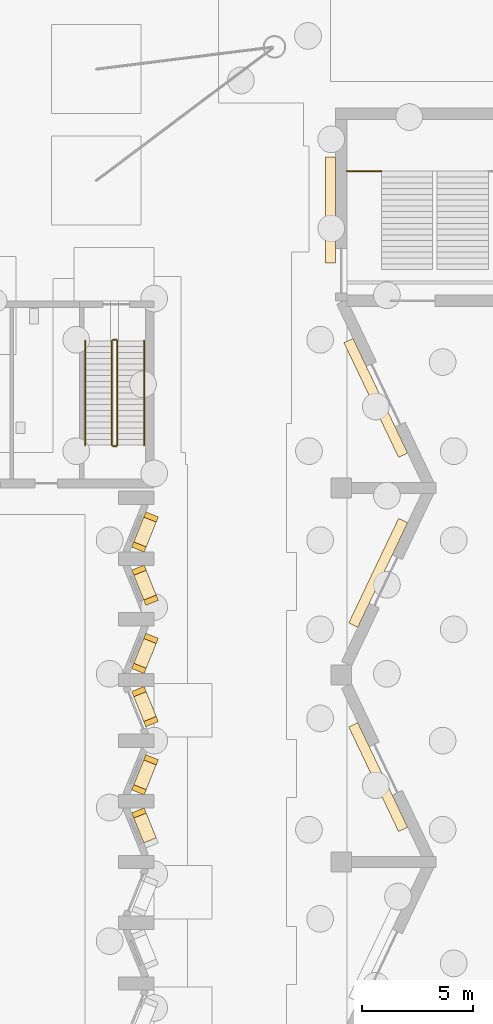
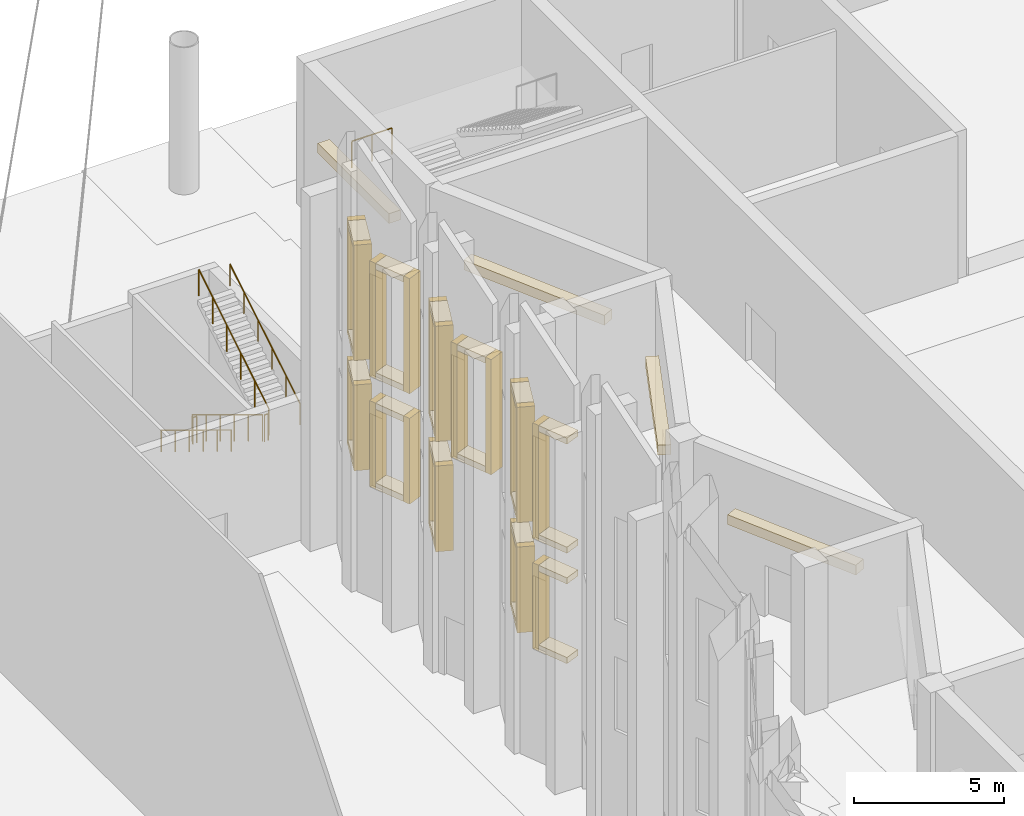
# One storey, part 97 of 108: 46 coverings, 7 railings.
"""IFC4 building model written with IfcOpenShell, lengths in metres."""

from ifc_helpers import new_model, si_unit, direction, frame, origin, origin_2d, place, context, subcontext, project, spatial, rectangle, circle, extrude, material, type_object, element, save


model = new_model("IFC4")

# Units and contexts
model_context = context("Model", 3, precision=1e-05, world=origin(), true_north=direction((0.0, 1.0)))
body_context = subcontext(model_context, "Body", "Model", "MODEL_VIEW")
ifc_project = project(units=[si_unit("LENGTHUNIT", "METRE"), si_unit("AREAUNIT", "SQUARE_METRE"), si_unit("VOLUMEUNIT", "CUBIC_METRE"), si_unit("PLANEANGLEUNIT", "RADIAN"), si_unit("MASSUNIT", "GRAM", prefix="KILO")], contexts=[model_context])

# Site, building, storey
site_placement = place(None, origin())
site = spatial("IfcSite", under=ifc_project, at=site_placement, CompositionType="ELEMENT")
building_placement = place(site_placement, origin())
building = spatial("IfcBuilding", under=site, at=building_placement, Name="Cresset Court Congress Hotel", CompositionType="ELEMENT")
storey_placement = place(building_placement, origin())
storey = spatial("IfcBuildingStorey", under=building, at=storey_placement, Name="L00", CompositionType="ELEMENT", Elevation=0.0)

# Railings
ifc_material_1 = material(Name="Steel and laminated glass", Category="steel")
railing_type_1 = type_object("IfcRailingType", Name="Guard 1100 steel and glass", PredefinedType="GUARDRAIL", material=ifc_material_1)
railing_1_placement = place(storey_placement, frame((59.050048828125, 115.02001953125, 3.0)))
element("IfcRailing", 1, at=railing_1_placement, inside=storey, type_object=railing_type_1, Name="Guard CC-C3L00a", PredefinedType="GUARDRAIL", context=body_context, shape_type="SweptSolid", body=[
    extrude(circle(Radius=0.02490234375, at=origin_2d()), frame((0.0, 0.0, 1.0751953125), z_axis=(1.0, 0.0, 0.0), x_axis=(0.0, 1.0, 0.0)), (0.0, 0.0, 1.0), 1.550048828125),
    extrude(circle(Radius=0.02001953125, at=origin_2d()), origin(), (0.0, 0.0, 1.0), 1.050048828125),
    extrude(circle(Radius=0.02001953125, at=origin_2d()), frame((0.77490234375, 0.0, 0.0)), (0.0, 0.0, 1.0), 1.050048828125),
    extrude(circle(Radius=0.02001953125, at=origin_2d()), frame((1.550048828125, 0.0, 0.0)), (0.0, 0.0, 1.0), 1.050048828125),
])
ifc_material_2 = material(Name="Stainless steel", Category="steel")
railing_type_2 = type_object("IfcRailingType", Name="Handrail 900", PredefinedType="HANDRAIL", material=ifc_material_2)
railing_2_placement = place(storey_placement, frame((47.300048828125, 107.39990234375, 0.157958984375)))
element("IfcRailing", 2, at=railing_2_placement, inside=storey, type_object=railing_type_2, Name="L00 ST-D4 stair handrail 1", PredefinedType="HANDRAIL", context=body_context, shape_type="SweptSolid", body=[
    extrude(circle(Radius=0.02392578125, at=origin_2d()), frame((0.0, 0.0, 0.8759765625), z_axis=(0.0, -0.854734527071, 0.519065398802), x_axis=(1.0, 0.0, 0.0)), (0.0, 0.0, 1.0), 5.475341796875),
    extrude(circle(Radius=0.02099609375, at=origin_2d()), origin(), (0.0, 0.0, 1.0), 0.851806640625),
    extrude(circle(Radius=0.02099609375, at=origin_2d()), frame((0.0, -0.93603515625, 0.568359375)), (0.0, 0.0, 1.0), 0.851806640625),
    extrude(circle(Radius=0.02099609375, at=origin_2d()), frame((0.0, -1.8720703125, 1.13671875)), (0.0, 0.0, 1.0), 0.851806640625),
    extrude(circle(Radius=0.02099609375, at=origin_2d()), frame((0.0, -2.807861328125, 1.705322265625)), (0.0, 0.0, 1.0), 0.851806640625),
    extrude(circle(Radius=0.02099609375, at=origin_2d()), frame((0.0, -3.743896484375, 2.273681640625)), (0.0, 0.0, 1.0), 0.851806640625),
    extrude(circle(Radius=0.02099609375, at=origin_2d()), frame((0.0, -4.679931640625, 2.842041015625)), (0.0, 0.0, 1.0), 0.851806640625),
])
railing_3_placement = place(storey_placement, frame((49.949951171875, 102.719970703125, 3.157958984375)))
element("IfcRailing", 3, at=railing_3_placement, inside=storey, type_object=railing_type_2, Name="L00 ST-D4 stair handrail 2", PredefinedType="HANDRAIL", context=body_context, shape_type="SweptSolid", body=[
    extrude(circle(Radius=0.02392578125, at=origin_2d()), frame((0.0, 0.0, 0.8759765625), z_axis=(0.0, 0.854734527071, 0.519065398802), x_axis=(-1.0, 0.0, 0.0)), (0.0, 0.0, 1.0), 5.475341796875),
    extrude(circle(Radius=0.02099609375, at=origin_2d()), origin(), (0.0, 0.0, 1.0), 0.851806640625),
    extrude(circle(Radius=0.02099609375, at=origin_2d()), frame((0.0, 0.93603515625, 0.568359375)), (0.0, 0.0, 1.0), 0.851806640625),
    extrude(circle(Radius=0.02099609375, at=origin_2d()), frame((0.0, 1.8720703125, 1.13671875)), (0.0, 0.0, 1.0), 0.851806640625),
    extrude(circle(Radius=0.02099609375, at=origin_2d()), frame((0.0, 2.807861328125, 1.705322265625)), (0.0, 0.0, 1.0), 0.851806640625),
    extrude(circle(Radius=0.02099609375, at=origin_2d()), frame((0.0, 3.743896484375, 2.273681640625)), (0.0, 0.0, 1.0), 0.851806640625),
    extrude(circle(Radius=0.02099609375, at=origin_2d()), frame((0.0, 4.679931640625, 2.842041015625)), (0.0, 0.0, 1.0), 0.851806640625),
])

# Coverings
ifc_material_3 = material(Name="Precast concrete C50", Category="concrete")
covering_type_1 = type_object("IfcCoveringType", Name="Precast reveal band 450x400", PredefinedType="CLADDING", material=ifc_material_3)
covering_1_placement = place(storey_placement, frame((58.324951171875, 113.27490234375, 3.550048828125), z_axis=(0.0, 0.0, 1.0), x_axis=(0.0, 1.0, 0.0)))
element("IfcCovering", 4, at=covering_1_placement, inside=storey, type_object=covering_type_1, Name="Reveal band W.L00.00a0.1", PredefinedType="CLADDING", context=body_context, shape_type="SweptSolid", body=[
    extrude(rectangle(XDim=4.75, YDim=0.449951171875, at=origin_2d()), origin(), (0.0, 0.0, 1.0), 0.39990234375),
])
covering_2_placement = place(storey_placement, frame((60.350341796875, 104.839599609375, 3.550048828125), z_axis=(0.0, 0.0, 1.0), x_axis=(-0.429932870312, 0.902860856957, 0.0)))
element("IfcCovering", 5, at=covering_2_placement, inside=storey, type_object=covering_type_1, Name="Reveal band W.L00.00a1.1", PredefinedType="CLADDING", context=body_context, shape_type="SweptSolid", body=[
    extrude(rectangle(XDim=5.696044921875, YDim=0.449951171875, at=origin_2d()), origin(), (0.0, 0.0, 1.0), 0.39990234375),
])
for number, where, z_axis, x_axis, name in (
    (6, (60.45751953125, 96.985595703125, 3.550048828125), (0.0, 0.0, 1.0), (0.429932870312, 0.902860856957, 0.0), "Reveal band W.L00.01a.1"),
    (7, (60.45751953125, 87.814453125, 3.550048828125), (0.0, 0.0, 1.0), (-0.429932870312, 0.902860856957, 0.0), "Reveal band W.L00.02a.1"),
):
    element("IfcCovering", number, at=place(storey_placement, frame(where, z_axis=z_axis, x_axis=x_axis)), inside=storey, type_object=covering_type_1, Name=name, PredefinedType="CLADDING", context=body_context, shape_type="SweptSolid", body=[
        extrude(rectangle(XDim=5.19775390625, YDim=0.449951171875, at=origin_2d()), origin(), (0.0, 0.0, 1.0), 0.39990234375),
    ])
ifc_material_4 = material(Name="Precast concrete C50", Category="concrete")
covering_type_2 = type_object("IfcCoveringType", Name="Precast reveal frame member 250x600", PredefinedType="CLADDING", material=ifc_material_4)
covering_3_placement = place(storey_placement, frame((49.71630859375, 86.203369140625, 4.25), z_axis=(0.0, 0.0, 1.0), x_axis=(-0.37462277577, 0.927177316307, 0.0)))
element("IfcCovering", 8, at=covering_3_placement, inside=storey, type_object=covering_type_2, Name="Reveal frame win.L00.33b", PredefinedType="CLADDING", context=body_context, shape_type="SweptSolid", body=[
    extrude(rectangle(XDim=0.25, YDim=0.60009765625, at=origin_2d()), origin(), (0.0, 0.0, 1.0), 3.5),
])
for number, where, z_axis, x_axis, name in (
    (9, (49.98779296875, 85.531005859375, 7.5), (0.0, 0.0, 1.0), (-0.37462277577, 0.927177316307, 0.0), "Reveal frame win.L00.33c"),
    (10, (49.98779296875, 85.531005859375, 4.25), (0.0, 0.0, 1.0), (-0.37462277577, 0.927177316307, 0.0), "Reveal frame win.L00.33d"),
):
    element("IfcCovering", number, at=place(storey_placement, frame(where, z_axis=z_axis, x_axis=x_axis)), inside=storey, type_object=covering_type_2, Name=name, PredefinedType="CLADDING", context=body_context, shape_type="SweptSolid", body=[
        extrude(rectangle(XDim=1.199951171875, YDim=0.60009765625, at=origin_2d()), origin(), (0.0, 0.0, 1.0), 0.25),
    ])
covering_4_placement = place(storey_placement, frame((49.71630859375, 86.203369140625, 8.75), z_axis=(0.0, 0.0, 1.0), x_axis=(-0.37462277577, 0.927177316307, 0.0)))
element("IfcCovering", 11, at=covering_4_placement, inside=storey, type_object=covering_type_2, Name="Reveal frame win.L00.34b", PredefinedType="CLADDING", context=body_context, shape_type="SweptSolid", body=[
    extrude(rectangle(XDim=0.25, YDim=0.60009765625, at=origin_2d()), origin(), (0.0, 0.0, 1.0), 4.699951171875),
])
for number, where, z_axis, x_axis, name in (
    (12, (49.98779296875, 85.531005859375, 13.199951171875), (0.0, 0.0, 1.0), (-0.37462277577, 0.927177316307, 0.0), "Reveal frame win.L00.34c"),
    (13, (49.98779296875, 85.531005859375, 8.75), (0.0, 0.0, 1.0), (-0.37462277577, 0.927177316307, 0.0), "Reveal frame win.L00.34d"),
):
    element("IfcCovering", number, at=place(storey_placement, frame(where, z_axis=z_axis, x_axis=x_axis)), inside=storey, type_object=covering_type_2, Name=name, PredefinedType="CLADDING", context=body_context, shape_type="SweptSolid", body=[
        extrude(rectangle(XDim=1.199951171875, YDim=0.60009765625, at=origin_2d()), origin(), (0.0, 0.0, 1.0), 0.25),
    ])
for number, where, z_axis, x_axis, name in (
    (14, (49.71630859375, 87.246826171875, 4.25), (0.0, 0.0, 1.0), (0.37462277577, 0.927177316307, 0.0), "Reveal frame win.L00.35a"),
    (15, (50.259521484375, 88.59130859375, 4.25), (0.0, 0.0, 1.0), (0.37462277577, 0.927177316307, 0.0), "Reveal frame win.L00.35b"),
):
    element("IfcCovering", number, at=place(storey_placement, frame(where, z_axis=z_axis, x_axis=x_axis)), inside=storey, type_object=covering_type_2, Name=name, PredefinedType="CLADDING", context=body_context, shape_type="SweptSolid", body=[
        extrude(rectangle(XDim=0.25, YDim=0.60009765625, at=origin_2d()), origin(), (0.0, 0.0, 1.0), 3.5),
    ])
for number, where, z_axis, x_axis, name in (
    (16, (49.98779296875, 87.9189453125, 7.5), (0.0, 0.0, 1.0), (0.37462277577, 0.927177316307, 0.0), "Reveal frame win.L00.35c"),
    (17, (49.98779296875, 87.9189453125, 4.25), (0.0, 0.0, 1.0), (0.37462277577, 0.927177316307, 0.0), "Reveal frame win.L00.35d"),
):
    element("IfcCovering", number, at=place(storey_placement, frame(where, z_axis=z_axis, x_axis=x_axis)), inside=storey, type_object=covering_type_2, Name=name, PredefinedType="CLADDING", context=body_context, shape_type="SweptSolid", body=[
        extrude(rectangle(XDim=1.199951171875, YDim=0.60009765625, at=origin_2d()), origin(), (0.0, 0.0, 1.0), 0.25),
    ])
for number, where, z_axis, x_axis, name in (
    (18, (49.71630859375, 87.246826171875, 8.75), (0.0, 0.0, 1.0), (0.37462277577, 0.927177316307, 0.0), "Reveal frame win.L00.36a"),
    (19, (50.259521484375, 88.59130859375, 8.75), (0.0, 0.0, 1.0), (0.37462277577, 0.927177316307, 0.0), "Reveal frame win.L00.36b"),
):
    element("IfcCovering", number, at=place(storey_placement, frame(where, z_axis=z_axis, x_axis=x_axis)), inside=storey, type_object=covering_type_2, Name=name, PredefinedType="CLADDING", context=body_context, shape_type="SweptSolid", body=[
        extrude(rectangle(XDim=0.25, YDim=0.60009765625, at=origin_2d()), origin(), (0.0, 0.0, 1.0), 4.699951171875),
    ])
for number, where, z_axis, x_axis, name in (
    (20, (49.98779296875, 87.9189453125, 13.199951171875), (0.0, 0.0, 1.0), (0.37462277577, 0.927177316307, 0.0), "Reveal frame win.L00.36c"),
    (21, (49.98779296875, 87.9189453125, 8.75), (0.0, 0.0, 1.0), (0.37462277577, 0.927177316307, 0.0), "Reveal frame win.L00.36d"),
):
    element("IfcCovering", number, at=place(storey_placement, frame(where, z_axis=z_axis, x_axis=x_axis)), inside=storey, type_object=covering_type_2, Name=name, PredefinedType="CLADDING", context=body_context, shape_type="SweptSolid", body=[
        extrude(rectangle(XDim=1.199951171875, YDim=0.60009765625, at=origin_2d()), origin(), (0.0, 0.0, 1.0), 0.25),
    ])
for number, where, z_axis, x_axis, name in (
    (22, (50.259521484375, 90.308837890625, 8.75), (0.0, 0.0, 1.0), (-0.37462277577, 0.927177316307, 0.0), "Reveal frame win.L00.37a"),
    (23, (49.71630859375, 91.6533203125, 8.75), (0.0, 0.0, 1.0), (-0.37462277577, 0.927177316307, 0.0), "Reveal frame win.L00.37b"),
):
    element("IfcCovering", number, at=place(storey_placement, frame(where, z_axis=z_axis, x_axis=x_axis)), inside=storey, type_object=covering_type_2, Name=name, PredefinedType="CLADDING", context=body_context, shape_type="SweptSolid", body=[
        extrude(rectangle(XDim=0.25, YDim=0.60009765625, at=origin_2d()), origin(), (0.0, 0.0, 1.0), 4.699951171875),
    ])
for number, where, z_axis, x_axis, name in (
    (24, (49.98779296875, 90.981201171875, 13.199951171875), (0.0, 0.0, 1.0), (-0.37462277577, 0.927177316307, 0.0), "Reveal frame win.L00.37c"),
    (25, (49.98779296875, 90.981201171875, 8.75), (0.0, 0.0, 1.0), (-0.37462277577, 0.927177316307, 0.0), "Reveal frame win.L00.37d"),
):
    element("IfcCovering", number, at=place(storey_placement, frame(where, z_axis=z_axis, x_axis=x_axis)), inside=storey, type_object=covering_type_2, Name=name, PredefinedType="CLADDING", context=body_context, shape_type="SweptSolid", body=[
        extrude(rectangle(XDim=1.199951171875, YDim=0.60009765625, at=origin_2d()), origin(), (0.0, 0.0, 1.0), 0.25),
    ])
for number, where, z_axis, x_axis, name in (
    (26, (49.71630859375, 92.69677734375, 4.25), (0.0, 0.0, 1.0), (0.37462277577, 0.927177316307, 0.0), "Reveal frame win.L00.38a"),
    (27, (50.259521484375, 94.041259765625, 4.25), (0.0, 0.0, 1.0), (0.37462277577, 0.927177316307, 0.0), "Reveal frame win.L00.38b"),
):
    element("IfcCovering", number, at=place(storey_placement, frame(where, z_axis=z_axis, x_axis=x_axis)), inside=storey, type_object=covering_type_2, Name=name, PredefinedType="CLADDING", context=body_context, shape_type="SweptSolid", body=[
        extrude(rectangle(XDim=0.25, YDim=0.60009765625, at=origin_2d()), origin(), (0.0, 0.0, 1.0), 3.5),
    ])
for number, where, z_axis, x_axis, name in (
    (28, (49.98779296875, 93.368896484375, 7.5), (0.0, 0.0, 1.0), (0.37462277577, 0.927177316307, 0.0), "Reveal frame win.L00.38c"),
    (29, (49.98779296875, 93.368896484375, 4.25), (0.0, 0.0, 1.0), (0.37462277577, 0.927177316307, 0.0), "Reveal frame win.L00.38d"),
):
    element("IfcCovering", number, at=place(storey_placement, frame(where, z_axis=z_axis, x_axis=x_axis)), inside=storey, type_object=covering_type_2, Name=name, PredefinedType="CLADDING", context=body_context, shape_type="SweptSolid", body=[
        extrude(rectangle(XDim=1.199951171875, YDim=0.60009765625, at=origin_2d()), origin(), (0.0, 0.0, 1.0), 0.25),
    ])
for number, where, z_axis, x_axis, name in (
    (30, (49.71630859375, 92.69677734375, 8.75), (0.0, 0.0, 1.0), (0.37462277577, 0.927177316307, 0.0), "Reveal frame win.L00.39a"),
    (31, (50.259521484375, 94.041259765625, 8.75), (0.0, 0.0, 1.0), (0.37462277577, 0.927177316307, 0.0), "Reveal frame win.L00.39b"),
):
    element("IfcCovering", number, at=place(storey_placement, frame(where, z_axis=z_axis, x_axis=x_axis)), inside=storey, type_object=covering_type_2, Name=name, PredefinedType="CLADDING", context=body_context, shape_type="SweptSolid", body=[
        extrude(rectangle(XDim=0.25, YDim=0.60009765625, at=origin_2d()), origin(), (0.0, 0.0, 1.0), 4.699951171875),
    ])
for number, where, z_axis, x_axis, name in (
    (32, (49.98779296875, 93.368896484375, 13.199951171875), (0.0, 0.0, 1.0), (0.37462277577, 0.927177316307, 0.0), "Reveal frame win.L00.39c"),
    (33, (49.98779296875, 93.368896484375, 8.75), (0.0, 0.0, 1.0), (0.37462277577, 0.927177316307, 0.0), "Reveal frame win.L00.39d"),
):
    element("IfcCovering", number, at=place(storey_placement, frame(where, z_axis=z_axis, x_axis=x_axis)), inside=storey, type_object=covering_type_2, Name=name, PredefinedType="CLADDING", context=body_context, shape_type="SweptSolid", body=[
        extrude(rectangle(XDim=1.199951171875, YDim=0.60009765625, at=origin_2d()), origin(), (0.0, 0.0, 1.0), 0.25),
    ])
for number, where, z_axis, x_axis, name in (
    (34, (50.259521484375, 95.7587890625, 4.25), (0.0, 0.0, 1.0), (-0.37462277577, 0.927177316307, 0.0), "Reveal frame win.L00.40a"),
    (35, (49.71630859375, 97.103271484375, 4.25), (0.0, 0.0, 1.0), (-0.37462277577, 0.927177316307, 0.0), "Reveal frame win.L00.40b"),
):
    element("IfcCovering", number, at=place(storey_placement, frame(where, z_axis=z_axis, x_axis=x_axis)), inside=storey, type_object=covering_type_2, Name=name, PredefinedType="CLADDING", context=body_context, shape_type="SweptSolid", body=[
        extrude(rectangle(XDim=0.25, YDim=0.60009765625, at=origin_2d()), origin(), (0.0, 0.0, 1.0), 3.5),
    ])
for number, where, z_axis, x_axis, name in (
    (36, (49.98779296875, 96.43115234375, 7.5), (0.0, 0.0, 1.0), (-0.37462277577, 0.927177316307, 0.0), "Reveal frame win.L00.40c"),
    (37, (49.98779296875, 96.43115234375, 4.25), (0.0, 0.0, 1.0), (-0.37462277577, 0.927177316307, 0.0), "Reveal frame win.L00.40d"),
):
    element("IfcCovering", number, at=place(storey_placement, frame(where, z_axis=z_axis, x_axis=x_axis)), inside=storey, type_object=covering_type_2, Name=name, PredefinedType="CLADDING", context=body_context, shape_type="SweptSolid", body=[
        extrude(rectangle(XDim=1.199951171875, YDim=0.60009765625, at=origin_2d()), origin(), (0.0, 0.0, 1.0), 0.25),
    ])
for number, where, z_axis, x_axis, name in (
    (38, (50.259521484375, 95.7587890625, 8.75), (0.0, 0.0, 1.0), (-0.37462277577, 0.927177316307, 0.0), "Reveal frame win.L00.41a"),
    (39, (49.71630859375, 97.103271484375, 8.75), (0.0, 0.0, 1.0), (-0.37462277577, 0.927177316307, 0.0), "Reveal frame win.L00.41b"),
):
    element("IfcCovering", number, at=place(storey_placement, frame(where, z_axis=z_axis, x_axis=x_axis)), inside=storey, type_object=covering_type_2, Name=name, PredefinedType="CLADDING", context=body_context, shape_type="SweptSolid", body=[
        extrude(rectangle(XDim=0.25, YDim=0.60009765625, at=origin_2d()), origin(), (0.0, 0.0, 1.0), 4.699951171875),
    ])
for number, where, z_axis, x_axis, name in (
    (40, (49.98779296875, 96.43115234375, 13.199951171875), (0.0, 0.0, 1.0), (-0.37462277577, 0.927177316307, 0.0), "Reveal frame win.L00.41c"),
    (41, (49.98779296875, 96.43115234375, 8.75), (0.0, 0.0, 1.0), (-0.37462277577, 0.927177316307, 0.0), "Reveal frame win.L00.41d"),
):
    element("IfcCovering", number, at=place(storey_placement, frame(where, z_axis=z_axis, x_axis=x_axis)), inside=storey, type_object=covering_type_2, Name=name, PredefinedType="CLADDING", context=body_context, shape_type="SweptSolid", body=[
        extrude(rectangle(XDim=1.199951171875, YDim=0.60009765625, at=origin_2d()), origin(), (0.0, 0.0, 1.0), 0.25),
    ])
for number, where, z_axis, x_axis, name in (
    (42, (49.71630859375, 98.146728515625, 4.25), (0.0, 0.0, 1.0), (0.37462277577, 0.927177316307, 0.0), "Reveal frame win.L00.42a"),
    (43, (50.259521484375, 99.4912109375, 4.25), (0.0, 0.0, 1.0), (0.37462277577, 0.927177316307, 0.0), "Reveal frame win.L00.42b"),
):
    element("IfcCovering", number, at=place(storey_placement, frame(where, z_axis=z_axis, x_axis=x_axis)), inside=storey, type_object=covering_type_2, Name=name, PredefinedType="CLADDING", context=body_context, shape_type="SweptSolid", body=[
        extrude(rectangle(XDim=0.25, YDim=0.60009765625, at=origin_2d()), origin(), (0.0, 0.0, 1.0), 3.5),
    ])
for number, where, z_axis, x_axis, name in (
    (44, (49.98779296875, 98.819091796875, 7.5), (0.0, 0.0, 1.0), (0.37462277577, 0.927177316307, 0.0), "Reveal frame win.L00.42c"),
    (45, (49.98779296875, 98.819091796875, 4.25), (0.0, 0.0, 1.0), (0.37462277577, 0.927177316307, 0.0), "Reveal frame win.L00.42d"),
):
    element("IfcCovering", number, at=place(storey_placement, frame(where, z_axis=z_axis, x_axis=x_axis)), inside=storey, type_object=covering_type_2, Name=name, PredefinedType="CLADDING", context=body_context, shape_type="SweptSolid", body=[
        extrude(rectangle(XDim=1.199951171875, YDim=0.60009765625, at=origin_2d()), origin(), (0.0, 0.0, 1.0), 0.25),
    ])
for number, where, z_axis, x_axis, name in (
    (46, (49.71630859375, 98.146728515625, 8.75), (0.0, 0.0, 1.0), (0.37462277577, 0.927177316307, 0.0), "Reveal frame win.L00.43a"),
    (47, (50.259521484375, 99.4912109375, 8.75), (0.0, 0.0, 1.0), (0.37462277577, 0.927177316307, 0.0), "Reveal frame win.L00.43b"),
):
    element("IfcCovering", number, at=place(storey_placement, frame(where, z_axis=z_axis, x_axis=x_axis)), inside=storey, type_object=covering_type_2, Name=name, PredefinedType="CLADDING", context=body_context, shape_type="SweptSolid", body=[
        extrude(rectangle(XDim=0.25, YDim=0.60009765625, at=origin_2d()), origin(), (0.0, 0.0, 1.0), 4.699951171875),
    ])
for number, where, z_axis, x_axis, name in (
    (48, (49.98779296875, 98.819091796875, 13.199951171875), (0.0, 0.0, 1.0), (0.37462277577, 0.927177316307, 0.0), "Reveal frame win.L00.43c"),
    (49, (49.98779296875, 98.819091796875, 8.75), (0.0, 0.0, 1.0), (0.37462277577, 0.927177316307, 0.0), "Reveal frame win.L00.43d"),
):
    element("IfcCovering", number, at=place(storey_placement, frame(where, z_axis=z_axis, x_axis=x_axis)), inside=storey, type_object=covering_type_2, Name=name, PredefinedType="CLADDING", context=body_context, shape_type="SweptSolid", body=[
        extrude(rectangle(XDim=1.199951171875, YDim=0.60009765625, at=origin_2d()), origin(), (0.0, 0.0, 1.0), 0.25),
    ])

# Railings
ifc_material_5 = material(Name="Stainless steel", Category="steel")
railing_type_3 = type_object("IfcRailingType", Name="Stair guard 1100 internal", PredefinedType="GUARDRAIL", material=ifc_material_5)
railing_4_placement = place(storey_placement, frame((48.5, 107.39990234375, 0.157958984375)))
element("IfcRailing", 50, at=railing_4_placement, inside=storey, type_object=railing_type_3, Name="L00 ST-D4 stair guard 1", PredefinedType="GUARDRAIL", context=body_context, shape_type="SweptSolid", body=[
    extrude(circle(Radius=0.02392578125, at=origin_2d()), frame((0.0, 0.0, 1.076171875), z_axis=(0.0, -0.854734527071, 0.519065398802), x_axis=(1.0, 0.0, 0.0)), (0.0, 0.0, 1.0), 5.475341796875),
    extrude(circle(Radius=0.02099609375, at=origin_2d()), origin(), (0.0, 0.0, 1.0), 1.052001953125),
    extrude(circle(Radius=0.02099609375, at=origin_2d()), frame((0.0, -0.93603515625, 0.568359375)), (0.0, 0.0, 1.0), 1.052001953125),
    extrude(circle(Radius=0.02099609375, at=origin_2d()), frame((0.0, -1.8720703125, 1.13671875)), (0.0, 0.0, 1.0), 1.052001953125),
    extrude(circle(Radius=0.02099609375, at=origin_2d()), frame((0.0, -2.807861328125, 1.705322265625)), (0.0, 0.0, 1.0), 1.052001953125),
    extrude(circle(Radius=0.02099609375, at=origin_2d()), frame((0.0, -3.743896484375, 2.273681640625)), (0.0, 0.0, 1.0), 1.052001953125),
    extrude(circle(Radius=0.02099609375, at=origin_2d()), frame((0.0, -4.679931640625, 2.842041015625)), (0.0, 0.0, 1.0), 1.052001953125),
])
railing_5_placement = place(storey_placement, frame((48.550048828125, 102.669921875, 3.0)))
element("IfcRailing", 51, at=railing_5_placement, inside=storey, type_object=railing_type_3, Name="L00 ST-D4 stair guard 2", PredefinedType="GUARDRAIL", context=body_context, shape_type="SweptSolid", body=[
    extrude(circle(Radius=0.02392578125, at=origin_2d()), frame((0.0, 0.0, 1.076171875), z_axis=(1.0, 0.0, 0.0), x_axis=(0.0, 1.0, 0.0)), (0.0, 0.0, 1.0), 0.14990234375),
    extrude(circle(Radius=0.02099609375, at=origin_2d()), origin(), (0.0, 0.0, 1.0), 1.052001953125),
    extrude(circle(Radius=0.02099609375, at=origin_2d()), frame((0.14990234375, 0.0, 0.0)), (0.0, 0.0, 1.0), 1.052001953125),
])
railing_6_placement = place(storey_placement, frame((48.75, 102.719970703125, 3.157958984375)))
element("IfcRailing", 52, at=railing_6_placement, inside=storey, type_object=railing_type_3, Name="L00 ST-D4 stair guard 3", PredefinedType="GUARDRAIL", context=body_context, shape_type="SweptSolid", body=[
    extrude(circle(Radius=0.02392578125, at=origin_2d()), frame((0.0, 0.0, 1.076171875), z_axis=(0.0, 0.854734527071, 0.519065398802), x_axis=(-1.0, 0.0, 0.0)), (0.0, 0.0, 1.0), 5.475341796875),
    extrude(circle(Radius=0.02099609375, at=origin_2d()), origin(), (0.0, 0.0, 1.0), 1.052001953125),
    extrude(circle(Radius=0.02099609375, at=origin_2d()), frame((0.0, 0.93603515625, 0.568359375)), (0.0, 0.0, 1.0), 1.052001953125),
    extrude(circle(Radius=0.02099609375, at=origin_2d()), frame((0.0, 1.8720703125, 1.13671875)), (0.0, 0.0, 1.0), 1.052001953125),
    extrude(circle(Radius=0.02099609375, at=origin_2d()), frame((0.0, 2.807861328125, 1.705322265625)), (0.0, 0.0, 1.0), 1.052001953125),
    extrude(circle(Radius=0.02099609375, at=origin_2d()), frame((0.0, 3.743896484375, 2.273681640625)), (0.0, 0.0, 1.0), 1.052001953125),
    extrude(circle(Radius=0.02099609375, at=origin_2d()), frame((0.0, 4.679931640625, 2.842041015625)), (0.0, 0.0, 1.0), 1.052001953125),
])
railing_7_placement = place(storey_placement, frame((48.550048828125, 107.449951171875, 0.0)))
element("IfcRailing", 53, at=railing_7_placement, inside=storey, type_object=railing_type_3, Name="L00 ST-D4 stair guard 4", PredefinedType="GUARDRAIL", context=body_context, shape_type="SweptSolid", body=[
    extrude(circle(Radius=0.02392578125, at=origin_2d()), frame((0.0, 0.0, 1.076171875), z_axis=(1.0, 0.0, 0.0), x_axis=(0.0, 1.0, 0.0)), (0.0, 0.0, 1.0), 0.14990234375),
    extrude(circle(Radius=0.02099609375, at=origin_2d()), origin(), (0.0, 0.0, 1.0), 1.052001953125),
    extrude(circle(Radius=0.02099609375, at=origin_2d()), frame((0.14990234375, 0.0, 0.0)), (0.0, 0.0, 1.0), 1.052001953125),
])

save(model, "model.ifc")
